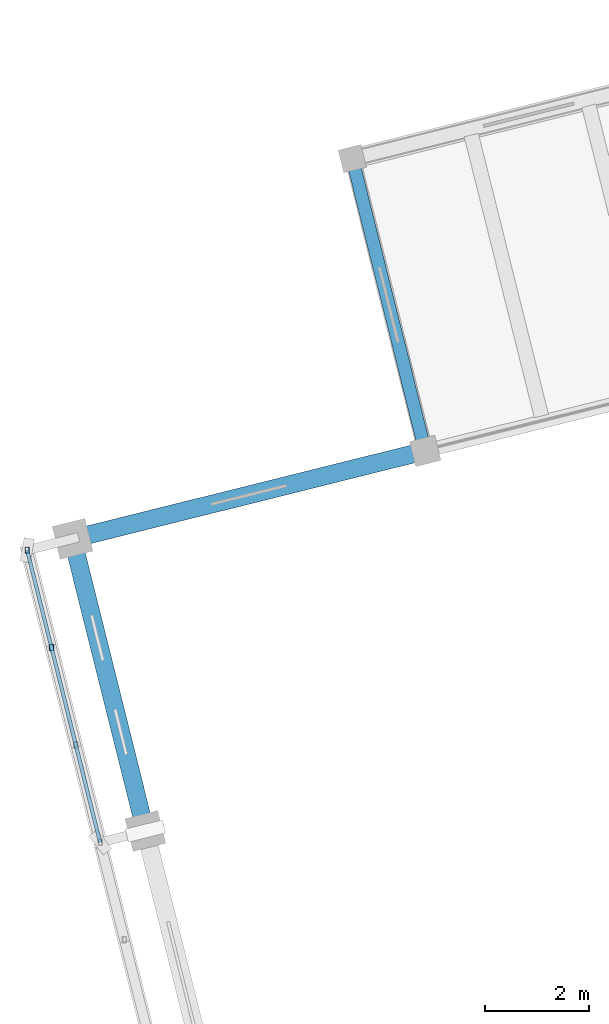
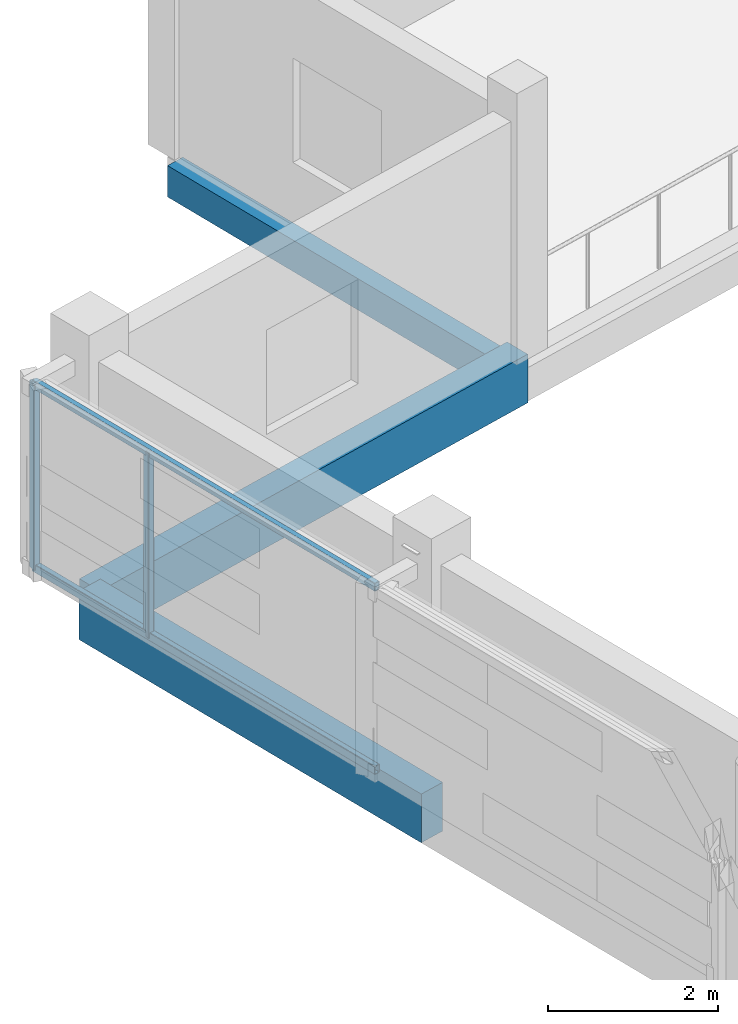
# One storey, part 18 of 117: 4 members, 3 beams.
"""IFC4 building model written with IfcOpenShell, lengths in metres."""

import ifcopenshell
import ifcopenshell.guid

model = None  # the IFC model being written
_history = None  # IfcOwnerHistory: only IFC2X3 demands one
_inside = {}  # id of a spatial element -> (the spatial element, [elements in it])
_under = {}  # id of a project, library or spatial element -> (it, [spatial elements below it])
_declared = {}  # id of a project -> (the project, [libraries it declares])
_typed = {}  # id of a type object -> (the type object, [elements of that type])
_made_of = {}  # id of a material, layer set ... -> (it, [elements and type objects made of it])


def new_model(schema):
    """Start an empty IFC model of exactly this schema.

    Asked for "IFC4X3", IfcOpenShell would pick the latest addendum, in which some entities
    have other attributes; the version numbers below select the first issue.
    IFC2X3 requires an IfcOwnerHistory on every rooted entity: one is made here for all.
    """
    global model, _history
    if schema == "IFC4X3":
        model = ifcopenshell.file(schema_version=(4, 3, 0, 0))
    else:
        model = ifcopenshell.file(schema=schema)
    _inside.clear()
    _under.clear()
    _declared.clear()
    _typed.clear()
    _made_of.clear()
    _history = None
    if model.schema == "IFC2X3":
        org = make("IfcOrganization", Name="unknown")
        user = make(
            "IfcPersonAndOrganization",
            ThePerson=make("IfcPerson", FamilyName="unknown"),
            TheOrganization=org,
        )
        app = make(
            "IfcApplication",
            ApplicationDeveloper=org,
            Version="unknown",
            ApplicationFullName="unknown",
            ApplicationIdentifier="unknown",
        )
        _history = make(
            "IfcOwnerHistory",
            OwningUser=user,
            OwningApplication=app,
            ChangeAction="ADDED",
            CreationDate=0,
        )
    return model


def make(cls, **values):
    """One entity of the class cls with the attributes given. An attribute that is None is left unset."""
    return model.create_entity(
        cls, **{name: value for name, value in values.items() if value is not None}
    )


def rooted(cls, **values):
    """An entity with a GlobalId (a new one), such as an element, a storey or a relation."""
    return make(cls, GlobalId=ifcopenshell.guid.new(), OwnerHistory=_history, **values)


def si_unit(unit_type, name, prefix=None):
    """IfcSIUnit, for example si_unit("LENGTHUNIT", "METRE", prefix="MILLI")."""
    return make("IfcSIUnit", UnitType=unit_type, Prefix=prefix, Name=name)


def assignment(units):
    """IfcUnitAssignment: the units of a project."""
    return None if units is None else make("IfcUnitAssignment", Units=units)


def point(xyz):
    """IfcCartesianPoint."""
    return None if xyz is None else make("IfcCartesianPoint", Coordinates=xyz)


def direction(xyz):
    """IfcDirection."""
    return None if xyz is None else make("IfcDirection", DirectionRatios=xyz)


def frame(location, z_axis=None, x_axis=None):
    """IfcAxis2Placement3D, a coordinate frame: its origin and axes. An axis left out is left unset."""
    return make(
        "IfcAxis2Placement3D",
        Location=point(location),
        Axis=direction(z_axis),
        RefDirection=direction(x_axis),
    )


def frame_2d(location, x_axis=None):
    """IfcAxis2Placement2D, a coordinate frame in the plane: its origin and x axis."""
    return make(
        "IfcAxis2Placement2D", Location=point(location), RefDirection=direction(x_axis)
    )


def origin():
    """The frame at (0, 0, 0) with its axes left unset."""
    return frame((0.0, 0.0, 0.0))


def origin_2d():
    """The frame at (0, 0) in the plane with its x axis left unset."""
    return frame_2d((0.0, 0.0))


def place(relative_to, where):
    """IfcLocalPlacement: puts the frame where relative to a parent placement (None: the world)."""
    return make(
        "IfcLocalPlacement", PlacementRelTo=relative_to, RelativePlacement=where
    )


def context(
    kind, dimensions, precision=None, world=None, true_north=None, identifier=None
):
    """IfcGeometricRepresentationContext, for example the 3D "Model" context."""
    return make(
        "IfcGeometricRepresentationContext",
        ContextIdentifier=identifier,
        ContextType=kind,
        CoordinateSpaceDimension=dimensions,
        Precision=precision,
        WorldCoordinateSystem=world,
        TrueNorth=true_north,
    )


def subcontext(parent, identifier, kind, view, scale=None):
    """IfcGeometricRepresentationSubContext, for example "Body" below "Model"."""
    return make(
        "IfcGeometricRepresentationSubContext",
        ContextIdentifier=identifier,
        ContextType=kind,
        ParentContext=parent,
        TargetScale=scale,
        TargetView=view,
    )


def project(units=None, contexts=None):
    """IfcProject with its units and contexts."""
    return rooted(
        "IfcProject",
        Name="project",
        RepresentationContexts=contexts,
        UnitsInContext=assignment(units),
    )


def spatial(cls, under=None, at=None, **own):
    """A site, building, storey or space (cls), placed at a placement, below another one or the project."""
    s = rooted(cls, ObjectPlacement=at, **own)
    if under is not None:
        _under.setdefault(under.id(), (under, []))[1].append(s)
    return s


def profile(cls, at=None, kind="AREA", **sizes):
    """A parametric profile (cls). Its sizes go by their IFC names, for example OverallWidth=200.0."""
    return make(cls, ProfileType=kind, Position=at, **sizes)


def rectangle(**sizes):
    """IfcRectangleProfileDef."""
    return profile("IfcRectangleProfileDef", **sizes)


def hollow_rectangle(**sizes):
    """IfcRectangleHollowProfileDef."""
    return profile("IfcRectangleHollowProfileDef", **sizes)


def extrude(swept, where, along, depth):
    """IfcExtrudedAreaSolid: the profile swept, set in the frame where, extruded along a direction by depth."""
    return make(
        "IfcExtrudedAreaSolid",
        SweptArea=swept,
        Position=where,
        ExtrudedDirection=direction(along),
        Depth=depth,
    )


def shape(context_of_items, identifier, shape_type, items):
    """IfcShapeRepresentation: the items that make up one representation, for example the "Body"."""
    return make(
        "IfcShapeRepresentation",
        ContextOfItems=context_of_items,
        RepresentationIdentifier=identifier,
        RepresentationType=shape_type,
        Items=items,
    )


def material(Name=None, Category=None):
    """IfcMaterial."""
    return make("IfcMaterial", Name=Name, Category=Category)


def material_profile(
    of_material, cross_section, Name=None, Category=None, Priority=None
):
    """IfcMaterialProfile: a cross section and its material."""
    return make(
        "IfcMaterialProfile",
        Name=Name,
        Material=of_material,
        Profile=cross_section,
        Priority=Priority,
        Category=Category,
    )


def profile_set(profiles, Name=None, composite=None):
    """IfcMaterialProfileSet."""
    return make(
        "IfcMaterialProfileSet",
        Name=Name,
        MaterialProfiles=profiles,
        CompositeProfile=composite,
    )


def made_of(thing, what):
    """Note that an element or type object is made of a material, layer set ...; save() writes the relation."""
    if what is not None:
        _made_of.setdefault(what.id(), (what, []))[1].append(thing)
    return thing


def type_object(cls, material=None, **own):
    """A type object (cls), such as IfcWallType, which elements share."""
    return made_of(rooted(cls, **own), material)


def element(
    cls,
    number,
    at=None,
    inside=None,
    cuts=None,
    type_object=None,
    material=None,
    context=None,
    identifier="Body",
    shape_type=None,
    held_by="IfcProductDefinitionShape",
    body=None,
    shapes=None,
    **own,
):
    """One element of the class cls, such as IfcWall. Its Tag is "e" and its number.

    at: its placement. inside: the storey or other place that contains it. cuts: it is an
    opening in that element (IfcRelVoidsElement). A single representation is given by context,
    identifier, shape_type and body (its items); several are given by shapes. held_by: the class
    of the entity that holds the representations. save() writes the other relations.
    """
    e = rooted(cls, Tag="e%d" % number, ObjectPlacement=at, **own)
    if body is not None:
        shapes = [shape(context, identifier, shape_type, body)]
    if shapes is not None:
        e.Representation = make(held_by, Representations=shapes)
    if inside is not None:
        _inside.setdefault(inside.id(), (inside, []))[1].append(e)
    if cuts is not None:
        rooted(
            "IfcRelVoidsElement", RelatingBuildingElement=cuts, RelatedOpeningElement=e
        )
    if type_object is not None:
        _typed.setdefault(type_object.id(), (type_object, []))[1].append(e)
    return made_of(e, material)


def aggregate(whole, parts):
    """IfcRelAggregates: a whole, such as a stair, and the parts it consists of."""
    return rooted("IfcRelAggregates", RelatingObject=whole, RelatedObjects=parts)


def save(model, path):
    """Write the relations noted so far, then the file.

    IfcRelAggregates (storeys below a building ...), IfcRelContainedInSpatialStructure (elements
    in a storey), IfcRelDefinesByType, IfcRelAssociatesMaterial and IfcRelDeclares: one each for
    every whole, place, type object, material and project.
    """
    for whole, parts in _under.values():
        aggregate(whole, parts)
    for where, things in _inside.values():
        rooted(
            "IfcRelContainedInSpatialStructure",
            RelatedElements=things,
            RelatingStructure=where,
        )
    for kind, things in _typed.values():
        rooted("IfcRelDefinesByType", RelatedObjects=things, RelatingType=kind)
    for what, things in _made_of.values():
        rooted("IfcRelAssociatesMaterial", RelatedObjects=things, RelatingMaterial=what)
    for by, libraries in _declared.values():
        rooted("IfcRelDeclares", RelatingContext=by, RelatedDefinitions=libraries)
    model.write(path)


model = new_model("IFC4")

# Units and contexts
model_context = context("Model", 3, precision=1e-05, world=origin(), true_north=direction((0.0, 1.0)))
body_context = subcontext(model_context, "Body", "Model", "MODEL_VIEW")
ifc_project = project(units=[si_unit("LENGTHUNIT", "METRE"), si_unit("AREAUNIT", "SQUARE_METRE"), si_unit("VOLUMEUNIT", "CUBIC_METRE"), si_unit("PLANEANGLEUNIT", "RADIAN"), si_unit("MASSUNIT", "GRAM", prefix="KILO")], contexts=[model_context])

# Site, building, storey
site_placement = place(None, origin())
site = spatial("IfcSite", under=ifc_project, at=site_placement, CompositionType="ELEMENT")
building_placement = place(site_placement, origin())
building = spatial("IfcBuilding", under=site, at=building_placement, Name="Cinderway Yard Community Centre", CompositionType="ELEMENT")
storey_placement = place(building_placement, frame((0.0, 0.0, 9.0)))
storey = spatial("IfcBuildingStorey", under=building, at=storey_placement, Name="L02", CompositionType="ELEMENT", Elevation=9.0)

# Members
ifc_material_1 = material(Name="Steel S355", Category="steel")
ifc_material_profile_1 = material_profile(ifc_material_1, hollow_rectangle(XDim=0.080078125, YDim=0.1201171875, WallThickness=0.00634765625, InnerFilletRadius=0.00634765625, OuterFilletRadius=0.0126953125, at=origin_2d()), Name="Steel S355")
ifc_profile_set_1 = profile_set([ifc_material_profile_1], Name="Steel S355")
member_type = type_object("IfcMemberType", Name="ENV-MEM-SCREEN-RAIL-120", PredefinedType="STRINGER", material=ifc_profile_set_1)
for number, where, z_axis, x_axis, name in (
    (1, (10.51806640625, 58.6650390625, 0.7099609375), (-0.242060225261, 0.970261226344, 0.0), (-0.970261226344, -0.242060225261, 0.0), "Screen support rail 0891-BOT"),
    (2, (10.51806640625, 58.6650390625, 3.340087890625), (-0.242060225261, 0.970261226344, 0.0), (-0.970261226344, -0.242060225261, 0.0), "Screen support rail 0892-TOP"),
):
    element("IfcMember", number, at=place(storey_placement, frame(where, z_axis=z_axis, x_axis=x_axis)), inside=storey, type_object=member_type, Name=name, PredefinedType="STRINGER", context=body_context, shape_type="SweptSolid", body=[
        extrude(hollow_rectangle(XDim=0.080078125, YDim=0.1201171875, WallThickness=0.00634765625, InnerFilletRadius=0.00634765625, OuterFilletRadius=0.0126953125, at=origin_2d()), origin(), (0.0, 0.0, 1.0), 5.800537109375),
    ])
for number, where, z_axis, x_axis, name in (
    (3, (9.58203125, 62.4169921875, 0.68994140625), (0.0, 0.0, 1.0), (1.0, 0.0, 0.0), "Screen vertical mullion 0894"),
    (4, (9.114013671875, 64.29296875, 0.68994140625), (0.0, 0.0, 1.0), (1.0, 0.0, 0.0), "Screen vertical mullion 0895"),
):
    element("IfcMember", number, at=place(storey_placement, frame(where, z_axis=z_axis, x_axis=x_axis)), inside=storey, type_object=member_type, Name=name, PredefinedType="STRINGER", context=body_context, shape_type="SweptSolid", body=[
        extrude(hollow_rectangle(XDim=0.080078125, YDim=0.1201171875, WallThickness=0.00634765625, InnerFilletRadius=0.00634765625, OuterFilletRadius=0.0126953125, at=origin_2d()), origin(), (0.0, 0.0, 1.0), 2.670166015625),
    ])

# Beams
ifc_material_2 = material(Name="Concrete C40/50", Category="concrete")
ifc_material_profile_2 = material_profile(ifc_material_2, rectangle(XDim=0.25, YDim=0.449951171875, at=origin_2d()), Name="Concrete C40/50")
ifc_profile_set_2 = profile_set([ifc_material_profile_2], Name="Concrete C40/50")
beam_type_1 = type_object("IfcBeamType", Name="STR-BM-RC250X450", PredefinedType="SPANDREL", material=ifc_profile_set_2)
beam_1_placement = place(storey_placement, frame((16.779052734375, 66.2041015625, -0.465087890625), z_axis=(-0.2419017199, 0.97030075642, 0.0), x_axis=(-0.97030075642, -0.2419017199, 0.0)))
element("IfcBeam", 5, at=beam_1_placement, inside=storey, type_object=beam_type_1, Name="Transverse girder STR-BM-L02-SP02-0376", PredefinedType="SPANDREL", context=body_context, shape_type="SweptSolid", body=[
    extrude(rectangle(XDim=0.25, YDim=0.449951171875, at=origin_2d()), origin(), (0.0, 0.0, 1.0), 5.80029296875),
])
ifc_material_3 = material(Name="Concrete C35/45", Category="concrete")
ifc_material_profile_3 = material_profile(ifc_material_3, rectangle(XDim=0.35009765625, YDim=0.699951171875, at=origin_2d()), Name="Concrete C35/45")
ifc_profile_set_3 = profile_set([ifc_material_profile_3], Name="Concrete C35/45")
beam_type_2 = type_object("IfcBeamType", Name="STR-BM-RC350X700", PredefinedType="BEAM", material=ifc_profile_set_3)
beam_2_placement = place(storey_placement, frame((11.39111328125, 58.883056640625, -0.35009765625), z_axis=(-0.242060225261, 0.970261226344, 0.0), x_axis=(-0.970261226344, -0.242060225261, 0.0)))
element("IfcBeam", 6, at=beam_2_placement, inside=storey, type_object=beam_type_2, Name="Main Hall west ring beam STR-BM-L02-BG07-0393", PredefinedType="BEAM", context=body_context, shape_type="SweptSolid", body=[
    extrude(rectangle(XDim=0.35009765625, YDim=0.699951171875, at=origin_2d()), origin(), (0.0, 0.0, 1.0), 5.800537109375),
])
beam_3_placement = place(storey_placement, frame((9.987060546875, 64.510986328125, -0.35009765625), z_axis=(0.970306409839, 0.241879042136, 0.0), x_axis=(-0.241879042136, 0.970306409839, 0.0)))
element("IfcBeam", 7, at=beam_3_placement, inside=storey, type_object=beam_type_2, Name="Main Hall return ring beam STR-BM-L02-BG07-0432", PredefinedType="BEAM", context=body_context, shape_type="SweptSolid", body=[
    extrude(rectangle(XDim=0.35009765625, YDim=0.699951171875, at=origin_2d()), origin(), (0.0, 0.0, 1.0), 6.999755859375),
])

save(model, "model.ifc")
